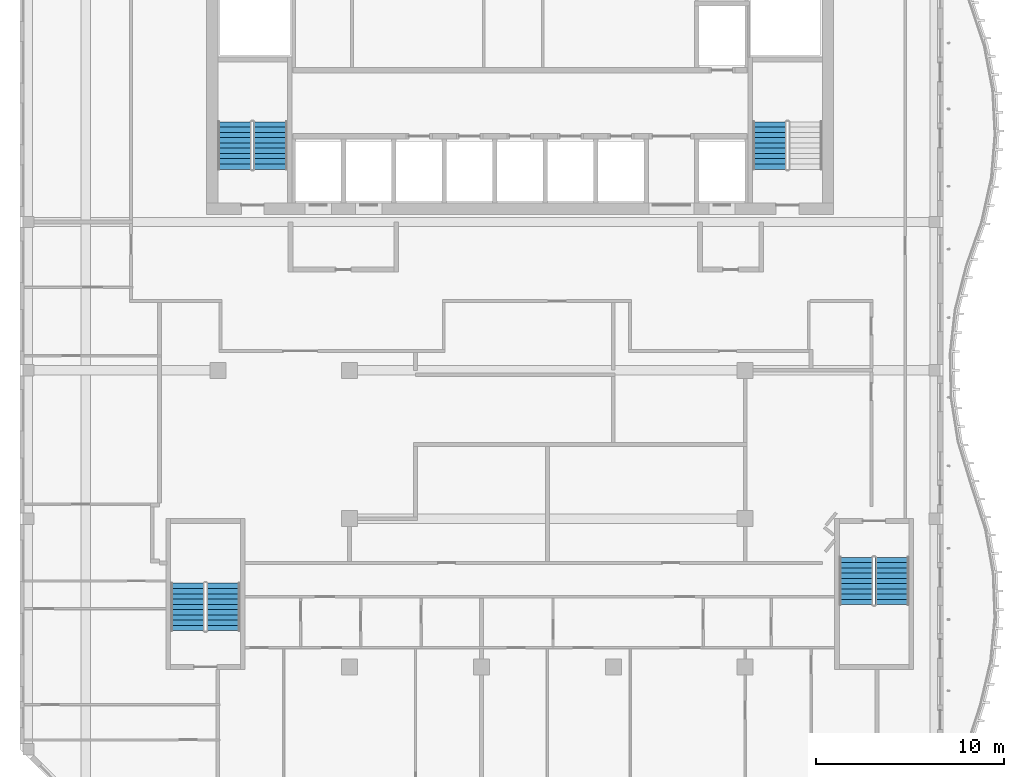
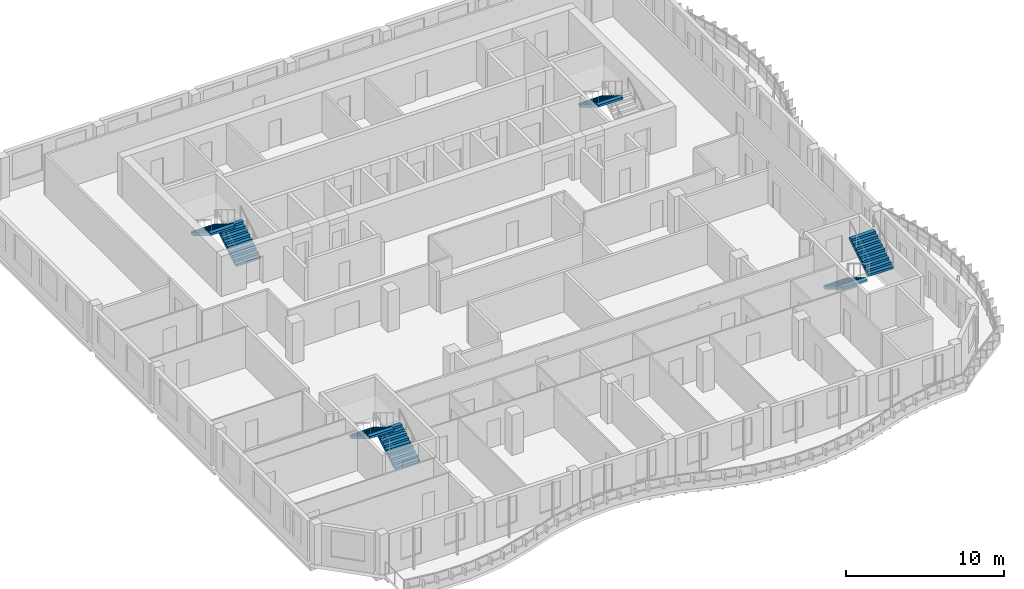
# One storey, part 9 of 17: 7 stair flights, 4 elements without a shape of their own.
"""IFC4 building model written with IfcOpenShell, lengths in metres."""

import ifcopenshell
import ifcopenshell.guid

model = None  # the IFC model being written
_history = None  # IfcOwnerHistory: only IFC2X3 demands one
_inside = {}  # id of a spatial element -> (the spatial element, [elements in it])
_under = {}  # id of a project, library or spatial element -> (it, [spatial elements below it])
_declared = {}  # id of a project -> (the project, [libraries it declares])
_typed = {}  # id of a type object -> (the type object, [elements of that type])
_made_of = {}  # id of a material, layer set ... -> (it, [elements and type objects made of it])


def new_model(schema):
    """Start an empty IFC model of exactly this schema.

    Asked for "IFC4X3", IfcOpenShell would pick the latest addendum, in which some entities
    have other attributes; the version numbers below select the first issue.
    IFC2X3 requires an IfcOwnerHistory on every rooted entity: one is made here for all.
    """
    global model, _history
    if schema == "IFC4X3":
        model = ifcopenshell.file(schema_version=(4, 3, 0, 0))
    else:
        model = ifcopenshell.file(schema=schema)
    _inside.clear()
    _under.clear()
    _declared.clear()
    _typed.clear()
    _made_of.clear()
    _history = None
    if model.schema == "IFC2X3":
        org = make("IfcOrganization", Name="unknown")
        user = make(
            "IfcPersonAndOrganization",
            ThePerson=make("IfcPerson", FamilyName="unknown"),
            TheOrganization=org,
        )
        app = make(
            "IfcApplication",
            ApplicationDeveloper=org,
            Version="unknown",
            ApplicationFullName="unknown",
            ApplicationIdentifier="unknown",
        )
        _history = make(
            "IfcOwnerHistory",
            OwningUser=user,
            OwningApplication=app,
            ChangeAction="ADDED",
            CreationDate=0,
        )
    return model


def make(cls, **values):
    """One entity of the class cls with the attributes given. An attribute that is None is left unset."""
    return model.create_entity(
        cls, **{name: value for name, value in values.items() if value is not None}
    )


def rooted(cls, **values):
    """An entity with a GlobalId (a new one), such as an element, a storey or a relation."""
    return make(cls, GlobalId=ifcopenshell.guid.new(), OwnerHistory=_history, **values)


def si_unit(unit_type, name, prefix=None):
    """IfcSIUnit, for example si_unit("LENGTHUNIT", "METRE", prefix="MILLI")."""
    return make("IfcSIUnit", UnitType=unit_type, Prefix=prefix, Name=name)


def assignment(units):
    """IfcUnitAssignment: the units of a project."""
    return None if units is None else make("IfcUnitAssignment", Units=units)


def point(xyz):
    """IfcCartesianPoint."""
    return None if xyz is None else make("IfcCartesianPoint", Coordinates=xyz)


def direction(xyz):
    """IfcDirection."""
    return None if xyz is None else make("IfcDirection", DirectionRatios=xyz)


def frame(location, z_axis=None, x_axis=None):
    """IfcAxis2Placement3D, a coordinate frame: its origin and axes. An axis left out is left unset."""
    return make(
        "IfcAxis2Placement3D",
        Location=point(location),
        Axis=direction(z_axis),
        RefDirection=direction(x_axis),
    )


def origin():
    """The frame at (0, 0, 0) with its axes left unset."""
    return frame((0.0, 0.0, 0.0))


def place(relative_to, where):
    """IfcLocalPlacement: puts the frame where relative to a parent placement (None: the world)."""
    return make(
        "IfcLocalPlacement", PlacementRelTo=relative_to, RelativePlacement=where
    )


def context(
    kind, dimensions, precision=None, world=None, true_north=None, identifier=None
):
    """IfcGeometricRepresentationContext, for example the 3D "Model" context."""
    return make(
        "IfcGeometricRepresentationContext",
        ContextIdentifier=identifier,
        ContextType=kind,
        CoordinateSpaceDimension=dimensions,
        Precision=precision,
        WorldCoordinateSystem=world,
        TrueNorth=true_north,
    )


def subcontext(parent, identifier, kind, view, scale=None):
    """IfcGeometricRepresentationSubContext, for example "Body" below "Model"."""
    return make(
        "IfcGeometricRepresentationSubContext",
        ContextIdentifier=identifier,
        ContextType=kind,
        ParentContext=parent,
        TargetScale=scale,
        TargetView=view,
    )


def project(units=None, contexts=None):
    """IfcProject with its units and contexts."""
    return rooted(
        "IfcProject",
        Name="project",
        RepresentationContexts=contexts,
        UnitsInContext=assignment(units),
    )


def spatial(cls, under=None, at=None, **own):
    """A site, building, storey or space (cls), placed at a placement, below another one or the project."""
    s = rooted(cls, ObjectPlacement=at, **own)
    if under is not None:
        _under.setdefault(under.id(), (under, []))[1].append(s)
    return s


def point_list(points):
    """IfcCartesianPointList2D or 3D."""
    cls = (
        "IfcCartesianPointList2D" if len(points[0]) == 2 else "IfcCartesianPointList3D"
    )
    return make(cls, CoordList=points)


def triangles(points, corners, closed=None, point_numbers=None):
    """IfcTriangulatedFaceSet: each triangle names its three corners, points numbered from 1."""
    return make(
        "IfcTriangulatedFaceSet",
        Coordinates=point_list(points),
        Closed=closed,
        CoordIndex=corners,
        PnIndex=point_numbers,
    )


def shape(context_of_items, identifier, shape_type, items):
    """IfcShapeRepresentation: the items that make up one representation, for example the "Body"."""
    return make(
        "IfcShapeRepresentation",
        ContextOfItems=context_of_items,
        RepresentationIdentifier=identifier,
        RepresentationType=shape_type,
        Items=items,
    )


def source(mapping_origin, context_of_items, identifier, shape_type, items):
    """IfcRepresentationMap: a shape defined once, which mapped items show again and again."""
    return make(
        "IfcRepresentationMap",
        MappingOrigin=mapping_origin,
        MappedRepresentation=shape(context_of_items, identifier, shape_type, items),
    )


def transform(
    local_origin,
    x_axis=None,
    y_axis=None,
    z_axis=None,
    scale=None,
    scale2=None,
    scale3=None,
    uniform=True,
):
    """IfcCartesianTransformationOperator3D, or its non-uniform kind. x_axis, y_axis, z_axis: its Axis1, 2, 3."""
    if uniform:
        return make(
            "IfcCartesianTransformationOperator3D",
            Axis1=direction(x_axis),
            Axis2=direction(y_axis),
            LocalOrigin=point(local_origin),
            Scale=scale,
            Axis3=direction(z_axis),
        )
    return make(
        "IfcCartesianTransformationOperator3DnonUniform",
        Axis1=direction(x_axis),
        Axis2=direction(y_axis),
        LocalOrigin=point(local_origin),
        Scale=scale,
        Axis3=direction(z_axis),
        Scale2=scale2,
        Scale3=scale3,
    )


def mapped(mapping_source, mapping_target):
    """IfcMappedItem: shows the shape of a source again, moved by a transform."""
    return make(
        "IfcMappedItem", MappingSource=mapping_source, MappingTarget=mapping_target
    )


def material(Name=None, Category=None):
    """IfcMaterial."""
    return make("IfcMaterial", Name=Name, Category=Category)


def made_of(thing, what):
    """Note that an element or type object is made of a material, layer set ...; save() writes the relation."""
    if what is not None:
        _made_of.setdefault(what.id(), (what, []))[1].append(thing)
    return thing


def type_object(cls, material=None, **own):
    """A type object (cls), such as IfcWallType, which elements share."""
    return made_of(rooted(cls, **own), material)


def element(
    cls,
    number,
    at=None,
    inside=None,
    cuts=None,
    type_object=None,
    material=None,
    context=None,
    identifier="Body",
    shape_type=None,
    held_by="IfcProductDefinitionShape",
    body=None,
    shapes=None,
    **own,
):
    """One element of the class cls, such as IfcWall. Its Tag is "e" and its number.

    at: its placement. inside: the storey or other place that contains it. cuts: it is an
    opening in that element (IfcRelVoidsElement). A single representation is given by context,
    identifier, shape_type and body (its items); several are given by shapes. held_by: the class
    of the entity that holds the representations. save() writes the other relations.
    """
    e = rooted(cls, Tag="e%d" % number, ObjectPlacement=at, **own)
    if body is not None:
        shapes = [shape(context, identifier, shape_type, body)]
    if shapes is not None:
        e.Representation = make(held_by, Representations=shapes)
    if inside is not None:
        _inside.setdefault(inside.id(), (inside, []))[1].append(e)
    if cuts is not None:
        rooted(
            "IfcRelVoidsElement", RelatingBuildingElement=cuts, RelatedOpeningElement=e
        )
    if type_object is not None:
        _typed.setdefault(type_object.id(), (type_object, []))[1].append(e)
    return made_of(e, material)


def aggregate(whole, parts):
    """IfcRelAggregates: a whole, such as a stair, and the parts it consists of."""
    return rooted("IfcRelAggregates", RelatingObject=whole, RelatedObjects=parts)


def save(model, path):
    """Write the relations noted so far, then the file.

    IfcRelAggregates (storeys below a building ...), IfcRelContainedInSpatialStructure (elements
    in a storey), IfcRelDefinesByType, IfcRelAssociatesMaterial and IfcRelDeclares: one each for
    every whole, place, type object, material and project.
    """
    for whole, parts in _under.values():
        aggregate(whole, parts)
    for where, things in _inside.values():
        rooted(
            "IfcRelContainedInSpatialStructure",
            RelatedElements=things,
            RelatingStructure=where,
        )
    for kind, things in _typed.values():
        rooted("IfcRelDefinesByType", RelatedObjects=things, RelatingType=kind)
    for what, things in _made_of.values():
        rooted("IfcRelAssociatesMaterial", RelatedObjects=things, RelatingMaterial=what)
    for by, libraries in _declared.values():
        rooted("IfcRelDeclares", RelatingContext=by, RelatedDefinitions=libraries)
    model.write(path)


model = new_model("IFC4")

# Units and contexts
model_context = context("Model", 3, precision=1e-05, world=origin(), true_north=direction((0.0, 1.0)))
body_context = subcontext(model_context, "Body", "Model", "MODEL_VIEW")
ifc_project = project(units=[si_unit("LENGTHUNIT", "METRE"), si_unit("AREAUNIT", "SQUARE_METRE"), si_unit("VOLUMEUNIT", "CUBIC_METRE"), si_unit("PLANEANGLEUNIT", "RADIAN"), si_unit("MASSUNIT", "GRAM", prefix="KILO")], contexts=[model_context])

# Site, building, storey
site_placement = place(None, origin())
site = spatial("IfcSite", under=ifc_project, at=site_placement, CompositionType="ELEMENT")
building_placement = place(site_placement, origin())
building = spatial("IfcBuilding", under=site, at=building_placement, Name="Kilnfold Tower and Market Hall", CompositionType="ELEMENT")
storey_placement = place(building_placement, frame((0.0, 0.0, 298.39990234375)))
storey = spatial("IfcBuildingStorey", under=building, at=storey_placement, Name="L74", CompositionType="ELEMENT", Elevation=298.39990234375)

# Stair, stair flights
ifc_material_1 = material(Name="Concrete C40/50", Category="concrete")
stair_type = type_object("IfcStairType", Name="CORE STAIR 1800", PredefinedType="HALF_TURN_STAIR", material=ifc_material_1)
stair_1_placement = place(storey_placement, origin())
stair_1 = element("IfcStair", 1, at=stair_1_placement, inside=storey, type_object=stair_type, Name="L74 ST1", PredefinedType="HALF_TURN_STAIR")
ifc_material_2 = material(Name="Concrete C40/50", Category="concrete")
stair_flight_type = type_object("IfcStairFlightType", Name="CORE STAIR FLIGHT 1800", PredefinedType="STRAIGHT", material=ifc_material_2)
shared_shape = source(origin(), body_context, "Body", "Tessellation", [
    triangles([(0.0, 0.89990234375, 0.0), (0.0, 0.78759765625, 0.0), (0.0, 0.675048828125, 0.0), (0.0, 0.5625, 0.0), (0.0, 0.449951171875, 0.0), (0.0, 0.33740234375, 0.0), (0.0, 0.22509765625, 0.0), (0.0, 0.112548828125, 0.0), (0.0, 0.0, 0.0), (0.0, -0.112548828125, 0.0), (0.0, -0.22509765625, 0.0), (0.0, -0.33740234375, 0.0), (0.0, -0.449951171875, 0.0), (0.0, -0.5625, 0.0), (0.0, -0.675048828125, 0.0), (0.0, -0.78759765625, 0.0), (0.0, -0.89990234375, 0.0), (0.0, 0.89990234375, 0.169921875), (0.0, 0.78759765625, 0.169921875), (0.0, 0.675048828125, 0.169921875), (0.0, 0.5625, 0.169921875), (0.0, 0.449951171875, 0.169921875), (0.0, 0.33740234375, 0.169921875), (0.0, 0.22509765625, 0.169921875), (0.0, 0.112548828125, 0.169921875), (0.0, 0.0, 0.169921875), (0.0, -0.112548828125, 0.169921875), (0.0, -0.22509765625, 0.169921875), (0.0, -0.33740234375, 0.169921875), (0.0, -0.449951171875, 0.169921875), (0.0, -0.5625, 0.169921875), (0.0, -0.675048828125, 0.169921875), (0.0, -0.78759765625, 0.169921875), (0.0, -0.89990234375, 0.169921875), (0.280029296875, 0.89990234375, 0.169921875), (0.280029296875, 0.78759765625, 0.169921875), (0.280029296875, 0.675048828125, 0.169921875), (0.280029296875, 0.5625, 0.169921875), (0.280029296875, 0.449951171875, 0.169921875), (0.280029296875, 0.33740234375, 0.169921875), (0.280029296875, 0.22509765625, 0.169921875), (0.280029296875, 0.112548828125, 0.169921875), (0.280029296875, 0.0, 0.169921875), (0.280029296875, -0.112548828125, 0.169921875), (0.280029296875, -0.22509765625, 0.169921875), (0.280029296875, -0.33740234375, 0.169921875), (0.280029296875, -0.449951171875, 0.169921875), (0.280029296875, -0.5625, 0.169921875), (0.280029296875, -0.675048828125, 0.169921875), (0.280029296875, -0.78759765625, 0.169921875), (0.280029296875, -0.89990234375, 0.169921875), (0.280029296875, 0.89990234375, 0.340087890625), (0.280029296875, 0.78759765625, 0.340087890625), (0.280029296875, 0.675048828125, 0.340087890625), (0.280029296875, 0.5625, 0.340087890625), (0.280029296875, 0.449951171875, 0.340087890625), (0.280029296875, 0.33740234375, 0.340087890625), (0.280029296875, 0.22509765625, 0.340087890625), (0.280029296875, 0.112548828125, 0.340087890625), (0.280029296875, 0.0, 0.340087890625), (0.280029296875, -0.112548828125, 0.340087890625), (0.280029296875, -0.22509765625, 0.340087890625), (0.280029296875, -0.33740234375, 0.340087890625), (0.280029296875, -0.449951171875, 0.340087890625), (0.280029296875, -0.5625, 0.340087890625), (0.280029296875, -0.675048828125, 0.340087890625), (0.280029296875, -0.78759765625, 0.340087890625), (0.280029296875, -0.89990234375, 0.340087890625), (0.56005859375, 0.89990234375, 0.340087890625), (0.56005859375, 0.78759765625, 0.340087890625), (0.56005859375, 0.675048828125, 0.340087890625), (0.56005859375, 0.5625, 0.340087890625), (0.56005859375, 0.449951171875, 0.340087890625), (0.56005859375, 0.33740234375, 0.340087890625), (0.56005859375, 0.22509765625, 0.340087890625), (0.56005859375, 0.112548828125, 0.340087890625), (0.56005859375, 0.0, 0.340087890625), (0.56005859375, -0.112548828125, 0.340087890625), (0.56005859375, -0.22509765625, 0.340087890625), (0.56005859375, -0.33740234375, 0.340087890625), (0.56005859375, -0.449951171875, 0.340087890625), (0.56005859375, -0.5625, 0.340087890625), (0.56005859375, -0.675048828125, 0.340087890625), (0.56005859375, -0.78759765625, 0.340087890625), (0.56005859375, -0.89990234375, 0.340087890625), (0.56005859375, 0.89990234375, 0.510009765625), (0.56005859375, 0.78759765625, 0.510009765625), (0.56005859375, 0.675048828125, 0.510009765625), (0.56005859375, 0.5625, 0.510009765625), (0.56005859375, 0.449951171875, 0.510009765625), (0.56005859375, 0.33740234375, 0.510009765625), (0.56005859375, 0.22509765625, 0.510009765625), (0.56005859375, 0.112548828125, 0.510009765625), (0.56005859375, 0.0, 0.510009765625), (0.56005859375, -0.112548828125, 0.510009765625), (0.56005859375, -0.22509765625, 0.510009765625), (0.56005859375, -0.33740234375, 0.510009765625), (0.56005859375, -0.449951171875, 0.510009765625), (0.56005859375, -0.5625, 0.510009765625), (0.56005859375, -0.675048828125, 0.510009765625), (0.56005859375, -0.78759765625, 0.510009765625), (0.56005859375, -0.89990234375, 0.510009765625), (0.840087890625, 0.89990234375, 0.510009765625), (0.840087890625, 0.78759765625, 0.510009765625), (0.840087890625, 0.675048828125, 0.510009765625), (0.840087890625, 0.5625, 0.510009765625), (0.840087890625, 0.449951171875, 0.510009765625), (0.840087890625, 0.33740234375, 0.510009765625), (0.840087890625, 0.22509765625, 0.510009765625), (0.840087890625, 0.112548828125, 0.510009765625), (0.840087890625, 0.0, 0.510009765625), (0.840087890625, -0.112548828125, 0.510009765625), (0.840087890625, -0.22509765625, 0.510009765625), (0.840087890625, -0.33740234375, 0.510009765625), (0.840087890625, -0.449951171875, 0.510009765625), (0.840087890625, -0.5625, 0.510009765625), (0.840087890625, -0.675048828125, 0.510009765625), (0.840087890625, -0.78759765625, 0.510009765625), (0.840087890625, -0.89990234375, 0.510009765625), (0.840087890625, 0.89990234375, 0.679931640625), (0.840087890625, 0.78759765625, 0.679931640625), (0.840087890625, 0.675048828125, 0.679931640625), (0.840087890625, 0.5625, 0.679931640625), (0.840087890625, 0.449951171875, 0.679931640625), (0.840087890625, 0.33740234375, 0.679931640625), (0.840087890625, 0.22509765625, 0.679931640625), (0.840087890625, 0.112548828125, 0.679931640625), (0.840087890625, 0.0, 0.679931640625), (0.840087890625, -0.112548828125, 0.679931640625), (0.840087890625, -0.22509765625, 0.679931640625), (0.840087890625, -0.33740234375, 0.679931640625), (0.840087890625, -0.449951171875, 0.679931640625), (0.840087890625, -0.5625, 0.679931640625), (0.840087890625, -0.675048828125, 0.679931640625), (0.840087890625, -0.78759765625, 0.679931640625), (0.840087890625, -0.89990234375, 0.679931640625), (1.1201171875, 0.89990234375, 0.679931640625), (1.1201171875, 0.78759765625, 0.679931640625), (1.1201171875, 0.675048828125, 0.679931640625), (1.1201171875, 0.5625, 0.679931640625), (1.1201171875, 0.449951171875, 0.679931640625), (1.1201171875, 0.33740234375, 0.679931640625), (1.1201171875, 0.22509765625, 0.679931640625), (1.1201171875, 0.112548828125, 0.679931640625), (1.1201171875, 0.0, 0.679931640625), (1.1201171875, -0.112548828125, 0.679931640625), (1.1201171875, -0.22509765625, 0.679931640625), (1.1201171875, -0.33740234375, 0.679931640625), (1.1201171875, -0.449951171875, 0.679931640625), (1.1201171875, -0.5625, 0.679931640625), (1.1201171875, -0.675048828125, 0.679931640625), (1.1201171875, -0.78759765625, 0.679931640625), (1.1201171875, -0.89990234375, 0.679931640625), (1.1201171875, 0.89990234375, 0.85009765625), (1.1201171875, 0.78759765625, 0.85009765625), (1.1201171875, 0.675048828125, 0.85009765625), (1.1201171875, 0.5625, 0.85009765625), (1.1201171875, 0.449951171875, 0.85009765625), (1.1201171875, 0.33740234375, 0.85009765625), (1.1201171875, 0.22509765625, 0.85009765625), (1.1201171875, 0.112548828125, 0.85009765625), (1.1201171875, 0.0, 0.85009765625), (1.1201171875, -0.112548828125, 0.85009765625), (1.1201171875, -0.22509765625, 0.85009765625), (1.1201171875, -0.33740234375, 0.85009765625), (1.1201171875, -0.449951171875, 0.85009765625), (1.1201171875, -0.5625, 0.85009765625), (1.1201171875, -0.675048828125, 0.85009765625), (1.1201171875, -0.78759765625, 0.85009765625), (1.1201171875, -0.89990234375, 0.85009765625), (1.39990234375, 0.89990234375, 0.85009765625), (1.39990234375, 0.78759765625, 0.85009765625), (1.39990234375, 0.675048828125, 0.85009765625), (1.39990234375, 0.5625, 0.85009765625), (1.39990234375, 0.449951171875, 0.85009765625), (1.39990234375, 0.33740234375, 0.85009765625), (1.39990234375, 0.22509765625, 0.85009765625), (1.39990234375, 0.112548828125, 0.85009765625), (1.39990234375, 0.0, 0.85009765625), (1.39990234375, -0.112548828125, 0.85009765625), (1.39990234375, -0.22509765625, 0.85009765625), (1.39990234375, -0.33740234375, 0.85009765625), (1.39990234375, -0.449951171875, 0.85009765625), (1.39990234375, -0.5625, 0.85009765625), (1.39990234375, -0.675048828125, 0.85009765625), (1.39990234375, -0.78759765625, 0.85009765625), (1.39990234375, -0.89990234375, 0.85009765625), (1.39990234375, 0.89990234375, 1.02001953125), (1.39990234375, 0.78759765625, 1.02001953125), (1.39990234375, 0.675048828125, 1.02001953125), (1.39990234375, 0.5625, 1.02001953125), (1.39990234375, 0.449951171875, 1.02001953125), (1.39990234375, 0.33740234375, 1.02001953125), (1.39990234375, 0.22509765625, 1.02001953125), (1.39990234375, 0.112548828125, 1.02001953125), (1.39990234375, 0.0, 1.02001953125), (1.39990234375, -0.112548828125, 1.02001953125), (1.39990234375, -0.22509765625, 1.02001953125), (1.39990234375, -0.33740234375, 1.02001953125), (1.39990234375, -0.449951171875, 1.02001953125), (1.39990234375, -0.5625, 1.02001953125), (1.39990234375, -0.675048828125, 1.02001953125), (1.39990234375, -0.78759765625, 1.02001953125), (1.39990234375, -0.89990234375, 1.02001953125), (1.679931640625, 0.89990234375, 1.02001953125), (1.679931640625, 0.78759765625, 1.02001953125), (1.679931640625, 0.675048828125, 1.02001953125), (1.679931640625, 0.5625, 1.02001953125), (1.679931640625, 0.449951171875, 1.02001953125), (1.679931640625, 0.33740234375, 1.02001953125), (1.679931640625, 0.22509765625, 1.02001953125), (1.679931640625, 0.112548828125, 1.02001953125), (1.679931640625, 0.0, 1.02001953125), (1.679931640625, -0.112548828125, 1.02001953125), (1.679931640625, -0.22509765625, 1.02001953125), (1.679931640625, -0.33740234375, 1.02001953125), (1.679931640625, -0.449951171875, 1.02001953125), (1.679931640625, -0.5625, 1.02001953125), (1.679931640625, -0.675048828125, 1.02001953125), (1.679931640625, -0.78759765625, 1.02001953125), (1.679931640625, -0.89990234375, 1.02001953125), (1.679931640625, 0.89990234375, 1.18994140625), (1.679931640625, 0.78759765625, 1.18994140625), (1.679931640625, 0.675048828125, 1.18994140625), (1.679931640625, 0.5625, 1.18994140625), (1.679931640625, 0.449951171875, 1.18994140625), (1.679931640625, 0.33740234375, 1.18994140625), (1.679931640625, 0.22509765625, 1.18994140625), (1.679931640625, 0.112548828125, 1.18994140625), (1.679931640625, 0.0, 1.18994140625), (1.679931640625, -0.112548828125, 1.18994140625), (1.679931640625, -0.22509765625, 1.18994140625), (1.679931640625, -0.33740234375, 1.18994140625), (1.679931640625, -0.449951171875, 1.18994140625), (1.679931640625, -0.5625, 1.18994140625), (1.679931640625, -0.675048828125, 1.18994140625), (1.679931640625, -0.78759765625, 1.18994140625), (1.679931640625, -0.89990234375, 1.18994140625), (1.9599609375, 0.89990234375, 1.18994140625), (1.9599609375, 0.78759765625, 1.18994140625), (1.9599609375, 0.675048828125, 1.18994140625), (1.9599609375, 0.5625, 1.18994140625), (1.9599609375, 0.449951171875, 1.18994140625), (1.9599609375, 0.33740234375, 1.18994140625), (1.9599609375, 0.22509765625, 1.18994140625), (1.9599609375, 0.112548828125, 1.18994140625), (1.9599609375, 0.0, 1.18994140625), (1.9599609375, -0.112548828125, 1.18994140625), (1.9599609375, -0.22509765625, 1.18994140625), (1.9599609375, -0.33740234375, 1.18994140625), (1.9599609375, -0.449951171875, 1.18994140625), (1.9599609375, -0.5625, 1.18994140625), (1.9599609375, -0.675048828125, 1.18994140625), (1.9599609375, -0.78759765625, 1.18994140625), (1.9599609375, -0.89990234375, 1.18994140625), (1.9599609375, 0.89990234375, 1.360107421875), (1.9599609375, 0.78759765625, 1.360107421875), (1.9599609375, 0.675048828125, 1.360107421875), (1.9599609375, 0.5625, 1.360107421875), (1.9599609375, 0.449951171875, 1.360107421875), (1.9599609375, 0.33740234375, 1.360107421875), (1.9599609375, 0.22509765625, 1.360107421875), (1.9599609375, 0.112548828125, 1.360107421875), (1.9599609375, 0.0, 1.360107421875), (1.9599609375, -0.112548828125, 1.360107421875), (1.9599609375, -0.22509765625, 1.360107421875), (1.9599609375, -0.33740234375, 1.360107421875), (1.9599609375, -0.449951171875, 1.360107421875), (1.9599609375, -0.5625, 1.360107421875), (1.9599609375, -0.675048828125, 1.360107421875), (1.9599609375, -0.78759765625, 1.360107421875), (1.9599609375, -0.89990234375, 1.360107421875), (2.239990234375, 0.89990234375, 1.360107421875), (2.239990234375, 0.78759765625, 1.360107421875), (2.239990234375, 0.675048828125, 1.360107421875), (2.239990234375, 0.5625, 1.360107421875), (2.239990234375, 0.449951171875, 1.360107421875), (2.239990234375, 0.33740234375, 1.360107421875), (2.239990234375, 0.22509765625, 1.360107421875), (2.239990234375, 0.112548828125, 1.360107421875), (2.239990234375, 0.0, 1.360107421875), (2.239990234375, -0.112548828125, 1.360107421875), (2.239990234375, -0.22509765625, 1.360107421875), (2.239990234375, -0.33740234375, 1.360107421875), (2.239990234375, -0.449951171875, 1.360107421875), (2.239990234375, -0.5625, 1.360107421875), (2.239990234375, -0.675048828125, 1.360107421875), (2.239990234375, -0.78759765625, 1.360107421875), (2.239990234375, -0.89990234375, 1.360107421875), (2.239990234375, 0.89990234375, 1.530029296875), (2.239990234375, 0.78759765625, 1.530029296875), (2.239990234375, 0.675048828125, 1.530029296875), (2.239990234375, 0.5625, 1.530029296875), (2.239990234375, 0.449951171875, 1.530029296875), (2.239990234375, 0.33740234375, 1.530029296875), (2.239990234375, 0.22509765625, 1.530029296875), (2.239990234375, 0.112548828125, 1.530029296875), (2.239990234375, 0.0, 1.530029296875), (2.239990234375, -0.112548828125, 1.530029296875), (2.239990234375, -0.22509765625, 1.530029296875), (2.239990234375, -0.33740234375, 1.530029296875), (2.239990234375, -0.449951171875, 1.530029296875), (2.239990234375, -0.5625, 1.530029296875), (2.239990234375, -0.675048828125, 1.530029296875), (2.239990234375, -0.78759765625, 1.530029296875), (2.239990234375, -0.89990234375, 1.530029296875), (2.52001953125, 0.89990234375, 1.530029296875), (2.52001953125, 0.78759765625, 1.530029296875), (2.52001953125, 0.675048828125, 1.530029296875), (2.52001953125, 0.5625, 1.530029296875), (2.52001953125, 0.449951171875, 1.530029296875), (2.52001953125, 0.33740234375, 1.530029296875), (2.52001953125, 0.22509765625, 1.530029296875), (2.52001953125, 0.112548828125, 1.530029296875), (2.52001953125, 0.0, 1.530029296875), (2.52001953125, -0.112548828125, 1.530029296875), (2.52001953125, -0.22509765625, 1.530029296875), (2.52001953125, -0.33740234375, 1.530029296875), (2.52001953125, -0.449951171875, 1.530029296875), (2.52001953125, -0.5625, 1.530029296875), (2.52001953125, -0.675048828125, 1.530029296875), (2.52001953125, -0.78759765625, 1.530029296875), (2.52001953125, -0.89990234375, 1.530029296875), (2.52001953125, 0.89990234375, 1.354736328125), (2.52001953125, 0.78759765625, 1.354736328125), (2.52001953125, 0.675048828125, 1.354736328125), (2.52001953125, 0.5625, 1.354736328125), (2.52001953125, 0.449951171875, 1.354736328125), (2.52001953125, 0.33740234375, 1.354736328125), (2.52001953125, 0.22509765625, 1.354736328125), (2.52001953125, 0.112548828125, 1.354736328125), (2.52001953125, 0.0, 1.354736328125), (2.52001953125, -0.112548828125, 1.354736328125), (2.52001953125, -0.22509765625, 1.354736328125), (2.52001953125, -0.33740234375, 1.354736328125), (2.52001953125, -0.449951171875, 1.354736328125), (2.52001953125, -0.5625, 1.354736328125), (2.52001953125, -0.675048828125, 1.354736328125), (2.52001953125, -0.78759765625, 1.354736328125), (2.52001953125, -0.89990234375, 1.354736328125), (0.288818359375, 0.89990234375, 0.0), (0.288818359375, 0.78759765625, 0.0), (0.288818359375, 0.675048828125, 0.0), (0.288818359375, 0.5625, 0.0), (0.288818359375, 0.449951171875, 0.0), (0.288818359375, 0.33740234375, 0.0), (0.288818359375, 0.22509765625, 0.0), (0.288818359375, 0.112548828125, 0.0), (0.288818359375, 0.0, 0.0), (0.288818359375, -0.112548828125, 0.0), (0.288818359375, -0.22509765625, 0.0), (0.288818359375, -0.33740234375, 0.0), (0.288818359375, -0.449951171875, 0.0), (0.288818359375, -0.5625, 0.0), (0.288818359375, -0.675048828125, 0.0), (0.288818359375, -0.78759765625, 0.0), (0.288818359375, -0.89990234375, 0.0)], [[1, 324, 341], [17, 357, 340], [324, 290, 307], [340, 323, 306], [324, 273, 290], [340, 306, 289], [324, 256, 273], [340, 289, 272], [324, 239, 256], [340, 272, 255], [239, 205, 222], [255, 238, 221], [324, 205, 239], [340, 255, 221], [205, 171, 188], [221, 204, 187], [324, 171, 205], [340, 221, 187], [171, 137, 154], [187, 170, 153], [324, 137, 171], [340, 187, 153], [137, 103, 120], [153, 136, 119], [324, 103, 137], [340, 153, 119], [103, 69, 86], [119, 102, 85], [324, 69, 103], [340, 119, 85], [69, 35, 52], [85, 68, 51], [324, 35, 69], [340, 85, 51], [1, 35, 324], [17, 340, 51], [35, 1, 18], [51, 34, 17], [1, 19, 18], [1, 2, 19], [2, 20, 19], [2, 3, 20], [3, 21, 20], [3, 4, 21], [4, 22, 21], [4, 5, 22], [5, 23, 22], [5, 6, 23], [6, 24, 23], [6, 7, 24], [7, 25, 24], [7, 8, 25], [8, 26, 25], [8, 9, 26], [9, 27, 26], [9, 10, 27], [10, 28, 27], [10, 11, 28], [11, 29, 28], [11, 12, 29], [12, 30, 29], [12, 13, 30], [13, 31, 30], [13, 14, 31], [14, 32, 31], [14, 15, 32], [15, 33, 32], [15, 16, 33], [16, 34, 33], [16, 17, 34], [18, 36, 35], [18, 19, 36], [19, 37, 36], [19, 20, 37], [20, 38, 37], [20, 21, 38], [21, 39, 38], [21, 22, 39], [22, 40, 39], [22, 23, 40], [23, 41, 40], [23, 24, 41], [24, 42, 41], [24, 25, 42], [25, 43, 42], [25, 26, 43], [26, 44, 43], [26, 27, 44], [27, 45, 44], [27, 28, 45], [28, 46, 45], [28, 29, 46], [29, 47, 46], [29, 30, 47], [30, 48, 47], [30, 31, 48], [31, 49, 48], [31, 32, 49], [32, 50, 49], [32, 33, 50], [33, 51, 50], [33, 34, 51], [35, 53, 52], [35, 36, 53], [36, 54, 53], [36, 37, 54], [37, 55, 54], [37, 38, 55], [38, 56, 55], [38, 39, 56], [39, 57, 56], [39, 40, 57], [40, 58, 57], [40, 41, 58], [41, 59, 58], [41, 42, 59], [42, 60, 59], [42, 43, 60], [43, 61, 60], [43, 44, 61], [44, 62, 61], [44, 45, 62], [45, 63, 62], [45, 46, 63], [46, 64, 63], [46, 47, 64], [47, 65, 64], [47, 48, 65], [48, 66, 65], [48, 49, 66], [49, 67, 66], [49, 50, 67], [50, 68, 67], [50, 51, 68], [52, 70, 69], [52, 53, 70], [53, 71, 70], [53, 54, 71], [54, 72, 71], [54, 55, 72], [55, 73, 72], [55, 56, 73], [56, 74, 73], [56, 57, 74], [57, 75, 74], [57, 58, 75], [58, 76, 75], [58, 59, 76], [59, 77, 76], [59, 60, 77], [60, 78, 77], [60, 61, 78], [61, 79, 78], [61, 62, 79], [62, 80, 79], [62, 63, 80], [63, 81, 80], [63, 64, 81], [64, 82, 81], [64, 65, 82], [65, 83, 82], [65, 66, 83], [66, 84, 83], [66, 67, 84], [67, 85, 84], [67, 68, 85], [69, 87, 86], [69, 70, 87], [70, 88, 87], [70, 71, 88], [71, 89, 88], [71, 72, 89], [72, 90, 89], [72, 73, 90], [73, 91, 90], [73, 74, 91], [74, 92, 91], [74, 75, 92], [75, 93, 92], [75, 76, 93], [76, 94, 93], [76, 77, 94], [77, 95, 94], [77, 78, 95], [78, 96, 95], [78, 79, 96], [79, 97, 96], [79, 80, 97], [80, 98, 97], [80, 81, 98], [81, 99, 98], [81, 82, 99], [82, 100, 99], [82, 83, 100], [83, 101, 100], [83, 84, 101], [84, 102, 101], [84, 85, 102], [86, 104, 103], [86, 87, 104], [87, 105, 104], [87, 88, 105], [88, 106, 105], [88, 89, 106], [89, 107, 106], [89, 90, 107], [90, 108, 107], [90, 91, 108], [91, 109, 108], [91, 92, 109], [92, 110, 109], [92, 93, 110], [93, 111, 110], [93, 94, 111], [94, 112, 111], [94, 95, 112], [95, 113, 112], [95, 96, 113], [96, 114, 113], [96, 97, 114], [97, 115, 114], [97, 98, 115], [98, 116, 115], [98, 99, 116], [99, 117, 116], [99, 100, 117], [100, 118, 117], [100, 101, 118], [101, 119, 118], [101, 102, 119], [103, 121, 120], [103, 104, 121], [104, 122, 121], [104, 105, 122], [105, 123, 122], [105, 106, 123], [106, 124, 123], [106, 107, 124], [107, 125, 124], [107, 108, 125], [108, 126, 125], [108, 109, 126], [109, 127, 126], [109, 110, 127], [110, 128, 127], [110, 111, 128], [111, 129, 128], [111, 112, 129], [112, 130, 129], [112, 113, 130], [113, 131, 130], [113, 114, 131], [114, 132, 131], [114, 115, 132], [115, 133, 132], [115, 116, 133], [116, 134, 133], [116, 117, 134], [117, 135, 134], [117, 118, 135], [118, 136, 135], [118, 119, 136], [120, 138, 137], [120, 121, 138], [121, 139, 138], [121, 122, 139], [122, 140, 139], [122, 123, 140], [123, 141, 140], [123, 124, 141], [124, 142, 141], [124, 125, 142], [125, 143, 142], [125, 126, 143], [126, 144, 143], [126, 127, 144], [127, 145, 144], [127, 128, 145], [128, 146, 145], [128, 129, 146], [129, 147, 146], [129, 130, 147], [130, 148, 147], [130, 131, 148], [131, 149, 148], [131, 132, 149], [132, 150, 149], [132, 133, 150], [133, 151, 150], [133, 134, 151], [134, 152, 151], [134, 135, 152], [135, 153, 152], [135, 136, 153], [137, 155, 154], [137, 138, 155], [138, 156, 155], [138, 139, 156], [139, 157, 156], [139, 140, 157], [140, 158, 157], [140, 141, 158], [141, 159, 158], [141, 142, 159], [142, 160, 159], [142, 143, 160], [143, 161, 160], [143, 144, 161], [144, 162, 161], [144, 145, 162], [145, 163, 162], [145, 146, 163], [146, 164, 163], [146, 147, 164], [147, 165, 164], [147, 148, 165], [148, 166, 165], [148, 149, 166], [149, 167, 166], [149, 150, 167], [150, 168, 167], [150, 151, 168], [151, 169, 168], [151, 152, 169], [152, 170, 169], [152, 153, 170], [154, 172, 171], [154, 155, 172], [155, 173, 172], [155, 156, 173], [156, 174, 173], [156, 157, 174], [157, 175, 174], [157, 158, 175], [158, 176, 175], [158, 159, 176], [159, 177, 176], [159, 160, 177], [160, 178, 177], [160, 161, 178], [161, 179, 178], [161, 162, 179], [162, 180, 179], [162, 163, 180], [163, 181, 180], [163, 164, 181], [164, 182, 181], [164, 165, 182], [165, 183, 182], [165, 166, 183], [166, 184, 183], [166, 167, 184], [167, 185, 184], [167, 168, 185], [168, 186, 185], [168, 169, 186], [169, 187, 186], [169, 170, 187], [171, 189, 188], [171, 172, 189], [172, 190, 189], [172, 173, 190], [173, 191, 190], [173, 174, 191], [174, 192, 191], [174, 175, 192], [175, 193, 192], [175, 176, 193], [176, 194, 193], [176, 177, 194], [177, 195, 194], [177, 178, 195], [178, 196, 195], [178, 179, 196], [179, 197, 196], [179, 180, 197], [180, 198, 197], [180, 181, 198], [181, 199, 198], [181, 182, 199], [182, 200, 199], [182, 183, 200], [183, 201, 200], [183, 184, 201], [184, 202, 201], [184, 185, 202], [185, 203, 202], [185, 186, 203], [186, 204, 203], [186, 187, 204], [188, 206, 205], [188, 189, 206], [189, 207, 206], [189, 190, 207], [190, 208, 207], [190, 191, 208], [191, 209, 208], [191, 192, 209], [192, 210, 209], [192, 193, 210], [193, 211, 210], [193, 194, 211], [194, 212, 211], [194, 195, 212], [195, 213, 212], [195, 196, 213], [196, 214, 213], [196, 197, 214], [197, 215, 214], [197, 198, 215], [198, 216, 215], [198, 199, 216], [199, 217, 216], [199, 200, 217], [200, 218, 217], [200, 201, 218], [201, 219, 218], [201, 202, 219], [202, 220, 219], [202, 203, 220], [203, 221, 220], [203, 204, 221], [205, 223, 222], [205, 206, 223], [206, 224, 223], [206, 207, 224], [207, 225, 224], [207, 208, 225], [208, 226, 225], [208, 209, 226], [209, 227, 226], [209, 210, 227], [210, 228, 227], [210, 211, 228], [211, 229, 228], [211, 212, 229], [212, 230, 229], [212, 213, 230], [213, 231, 230], [213, 214, 231], [214, 232, 231], [214, 215, 232], [215, 233, 232], [215, 216, 233], [216, 234, 233], [216, 217, 234], [217, 235, 234], [217, 218, 235], [218, 236, 235], [218, 219, 236], [219, 237, 236], [219, 220, 237], [220, 238, 237], [220, 221, 238], [222, 240, 239], [222, 223, 240], [223, 241, 240], [223, 224, 241], [224, 242, 241], [224, 225, 242], [225, 243, 242], [225, 226, 243], [226, 244, 243], [226, 227, 244], [227, 245, 244], [227, 228, 245], [228, 246, 245], [228, 229, 246], [229, 247, 246], [229, 230, 247], [230, 248, 247], [230, 231, 248], [231, 249, 248], [231, 232, 249], [232, 250, 249], [232, 233, 250], [233, 251, 250], [233, 234, 251], [234, 252, 251], [234, 235, 252], [235, 253, 252], [235, 236, 253], [236, 254, 253], [236, 237, 254], [237, 255, 254], [237, 238, 255], [239, 257, 256], [239, 240, 257], [240, 258, 257], [240, 241, 258], [241, 259, 258], [241, 242, 259], [242, 260, 259], [242, 243, 260], [243, 261, 260], [243, 244, 261], [244, 262, 261], [244, 245, 262], [245, 263, 262], [245, 246, 263], [246, 264, 263], [246, 247, 264], [247, 265, 264], [247, 248, 265], [248, 266, 265], [248, 249, 266], [249, 267, 266], [249, 250, 267], [250, 268, 267], [250, 251, 268], [251, 269, 268], [251, 252, 269], [252, 270, 269], [252, 253, 270], [253, 271, 270], [253, 254, 271], [254, 272, 271], [254, 255, 272], [256, 274, 273], [256, 257, 274], [257, 275, 274], [257, 258, 275], [258, 276, 275], [258, 259, 276], [259, 277, 276], [259, 260, 277], [260, 278, 277], [260, 261, 278], [261, 279, 278], [261, 262, 279], [262, 280, 279], [262, 263, 280], [263, 281, 280], [263, 264, 281], [264, 282, 281], [264, 265, 282], [265, 283, 282], [265, 266, 283], [266, 284, 283], [266, 267, 284], [267, 285, 284], [267, 268, 285], [268, 286, 285], [268, 269, 286], [269, 287, 286], [269, 270, 287], [270, 288, 287], [270, 271, 288], [271, 289, 288], [271, 272, 289], [273, 291, 290], [273, 274, 291], [274, 292, 291], [274, 275, 292], [275, 293, 292], [275, 276, 293], [276, 294, 293], [276, 277, 294], [277, 295, 294], [277, 278, 295], [278, 296, 295], [278, 279, 296], [279, 297, 296], [279, 280, 297], [280, 298, 297], [280, 281, 298], [281, 299, 298], [281, 282, 299], [282, 300, 299], [282, 283, 300], [283, 301, 300], [283, 284, 301], [284, 302, 301], [284, 285, 302], [285, 303, 302], [285, 286, 303], [286, 304, 303], [286, 287, 304], [287, 305, 304], [287, 288, 305], [288, 306, 305], [288, 289, 306], [290, 308, 307], [290, 291, 308], [291, 309, 308], [291, 292, 309], [292, 310, 309], [292, 293, 310], [293, 311, 310], [293, 294, 311], [294, 312, 311], [294, 295, 312], [295, 313, 312], [295, 296, 313], [296, 314, 313], [296, 297, 314], [297, 315, 314], [297, 298, 315], [298, 316, 315], [298, 299, 316], [299, 317, 316], [299, 300, 317], [300, 318, 317], [300, 301, 318], [301, 319, 318], [301, 302, 319], [302, 320, 319], [302, 303, 320], [303, 321, 320], [303, 304, 321], [304, 322, 321], [304, 305, 322], [305, 323, 322], [305, 306, 323], [307, 325, 324], [307, 308, 325], [308, 326, 325], [308, 309, 326], [309, 327, 326], [309, 310, 327], [310, 328, 327], [310, 311, 328], [311, 329, 328], [311, 312, 329], [312, 330, 329], [312, 313, 330], [313, 331, 330], [313, 314, 331], [314, 332, 331], [314, 315, 332], [315, 333, 332], [315, 316, 333], [316, 334, 333], [316, 317, 334], [317, 335, 334], [317, 318, 335], [318, 336, 335], [318, 319, 336], [319, 337, 336], [319, 320, 337], [320, 338, 337], [320, 321, 338], [321, 339, 338], [321, 322, 339], [322, 340, 339], [322, 323, 340], [324, 342, 341], [324, 325, 342], [325, 343, 342], [325, 326, 343], [326, 344, 343], [326, 327, 344], [327, 345, 344], [327, 328, 345], [328, 346, 345], [328, 329, 346], [329, 347, 346], [329, 330, 347], [330, 348, 347], [330, 331, 348], [331, 349, 348], [331, 332, 349], [332, 350, 349], [332, 333, 350], [333, 351, 350], [333, 334, 351], [334, 352, 351], [334, 335, 352], [335, 353, 352], [335, 336, 353], [336, 354, 353], [336, 337, 354], [337, 355, 354], [337, 338, 355], [338, 356, 355], [338, 339, 356], [339, 357, 356], [339, 340, 357], [341, 2, 1], [341, 342, 2], [342, 3, 2], [342, 343, 3], [343, 4, 3], [343, 344, 4], [344, 5, 4], [344, 345, 5], [345, 6, 5], [345, 346, 6], [346, 7, 6], [346, 347, 7], [347, 8, 7], [347, 348, 8], [348, 9, 8], [348, 349, 9], [349, 10, 9], [349, 350, 10], [350, 11, 10], [350, 351, 11], [351, 12, 11], [351, 352, 12], [352, 13, 12], [352, 353, 13], [353, 14, 13], [353, 354, 14], [354, 15, 14], [354, 355, 15], [355, 16, 15], [355, 356, 16], [356, 17, 16], [356, 357, 17]], closed=True),
])
stair_flight_1_placement = place(storey_placement, frame((-12.199951171875, 10.800048828125, 0.0), z_axis=(0.0, 0.0, 1.0), x_axis=(0.0, 1.0, 0.0)))
stair_flight_1 = element("IfcStairFlight", 2, at=stair_flight_1_placement, type_object=stair_flight_type, Name="ST1 flight 1", NumberOfRisers=10, NumberOfTreads=9, PredefinedType="STRAIGHT", RiserHeight=0.17, TreadLength=0.28, context=body_context, shape_type="MappedRepresentation", body=[
    mapped(shared_shape, transform((0.0, 0.0, 0.0))),
])
stair_flight_2_placement = place(storey_placement, frame((-14.10009765625, 13.320068359375, 1.7001953125), z_axis=(0.0, 0.0, 1.0), x_axis=(0.0, -1.0, 0.0)))
stair_flight_2 = element("IfcStairFlight", 3, at=stair_flight_2_placement, type_object=stair_flight_type, Name="ST1 flight 2", NumberOfRisers=10, NumberOfTreads=9, PredefinedType="STRAIGHT", RiserHeight=0.17, TreadLength=0.28, context=body_context, shape_type="MappedRepresentation", body=[
    mapped(shared_shape, transform((0.0, 0.0, 0.0))),
])
aggregate(stair_1, [stair_flight_1, stair_flight_2])

# Stair, stair flight
stair_2_placement = place(storey_placement, origin())
stair_2 = element("IfcStair", 4, at=stair_2_placement, inside=storey, type_object=stair_type, Name="L74 ST2", PredefinedType="HALF_TURN_STAIR")
stair_flight_3_placement = place(storey_placement, frame((14.300048828125, 13.320068359375, 1.7001953125), z_axis=(0.0, 0.0, 1.0), x_axis=(0.0, -1.0, 0.0)))
stair_flight_3 = element("IfcStairFlight", 5, at=stair_flight_3_placement, type_object=stair_flight_type, Name="ST2 flight 2", NumberOfRisers=10, NumberOfTreads=9, PredefinedType="STRAIGHT", RiserHeight=0.17, TreadLength=0.28, context=body_context, shape_type="MappedRepresentation", body=[
    mapped(shared_shape, transform((0.0, 0.0, 0.0))),
])
aggregate(stair_2, [stair_flight_3])

# Stair, stair flights
stair_3_placement = place(storey_placement, origin())
stair_3 = element("IfcStair", 6, at=stair_3_placement, inside=storey, type_object=stair_type, Name="L74 ST3", PredefinedType="HALF_TURN_STAIR")
stair_flight_4_placement = place(storey_placement, frame((-14.699951171875, -13.699951171875, 0.0), z_axis=(0.0, 0.0, 1.0), x_axis=(0.0, 1.0, 0.0)))
stair_flight_4 = element("IfcStairFlight", 7, at=stair_flight_4_placement, type_object=stair_flight_type, Name="ST3 flight 1", NumberOfRisers=10, NumberOfTreads=9, PredefinedType="STRAIGHT", RiserHeight=0.17, TreadLength=0.28, context=body_context, shape_type="MappedRepresentation", body=[
    mapped(shared_shape, transform((0.0, 0.0, 0.0))),
])
stair_flight_5_placement = place(storey_placement, frame((-16.60009765625, -11.179931640625, 1.7001953125), z_axis=(0.0, 0.0, 1.0), x_axis=(0.0, -1.0, 0.0)))
stair_flight_5 = element("IfcStairFlight", 8, at=stair_flight_5_placement, type_object=stair_flight_type, Name="ST3 flight 2", NumberOfRisers=10, NumberOfTreads=9, PredefinedType="STRAIGHT", RiserHeight=0.17, TreadLength=0.28, context=body_context, shape_type="MappedRepresentation", body=[
    mapped(shared_shape, transform((0.0, 0.0, 0.0))),
])
aggregate(stair_3, [stair_flight_4, stair_flight_5])

stair_4_placement = place(storey_placement, origin())
stair_4 = element("IfcStair", 9, at=stair_4_placement, inside=storey, type_object=stair_type, Name="L74 ST4", PredefinedType="HALF_TURN_STAIR")
stair_flight_6_placement = place(storey_placement, frame((18.89990234375, -9.800048828125, 0.0), z_axis=(0.0, 0.0, 1.0), x_axis=(0.0, -1.0, 0.0)))
stair_flight_6 = element("IfcStairFlight", 10, at=stair_flight_6_placement, type_object=stair_flight_type, Name="ST4 flight 1", NumberOfRisers=10, NumberOfTreads=9, PredefinedType="STRAIGHT", RiserHeight=0.17, TreadLength=0.28, context=body_context, shape_type="MappedRepresentation", body=[
    mapped(shared_shape, transform((0.0, 0.0, 0.0))),
])
stair_flight_7_placement = place(storey_placement, frame((20.800048828125, -12.320068359375, 1.7001953125), z_axis=(0.0, 0.0, 1.0), x_axis=(0.0, 1.0, 0.0)))
stair_flight_7 = element("IfcStairFlight", 11, at=stair_flight_7_placement, type_object=stair_flight_type, Name="ST4 flight 2", NumberOfRisers=10, NumberOfTreads=9, PredefinedType="STRAIGHT", RiserHeight=0.17, TreadLength=0.28, context=body_context, shape_type="MappedRepresentation", body=[
    mapped(shared_shape, transform((0.0, 0.0, 0.0))),
])
aggregate(stair_4, [stair_flight_6, stair_flight_7])

save(model, "model.ifc")
